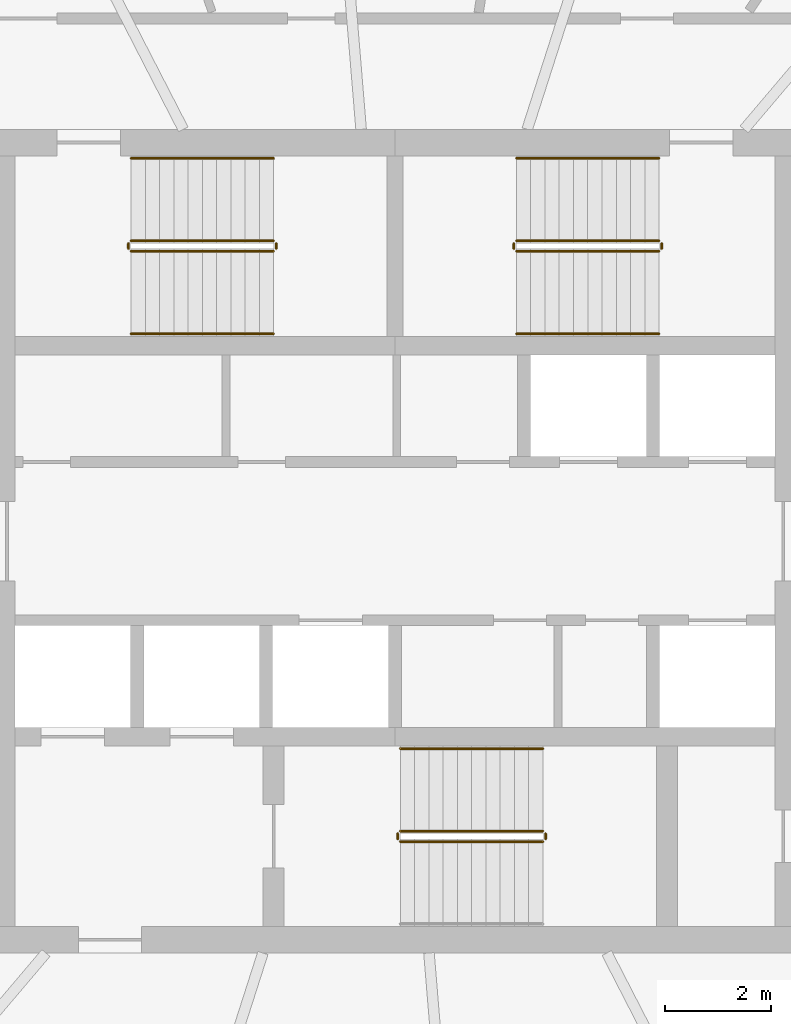
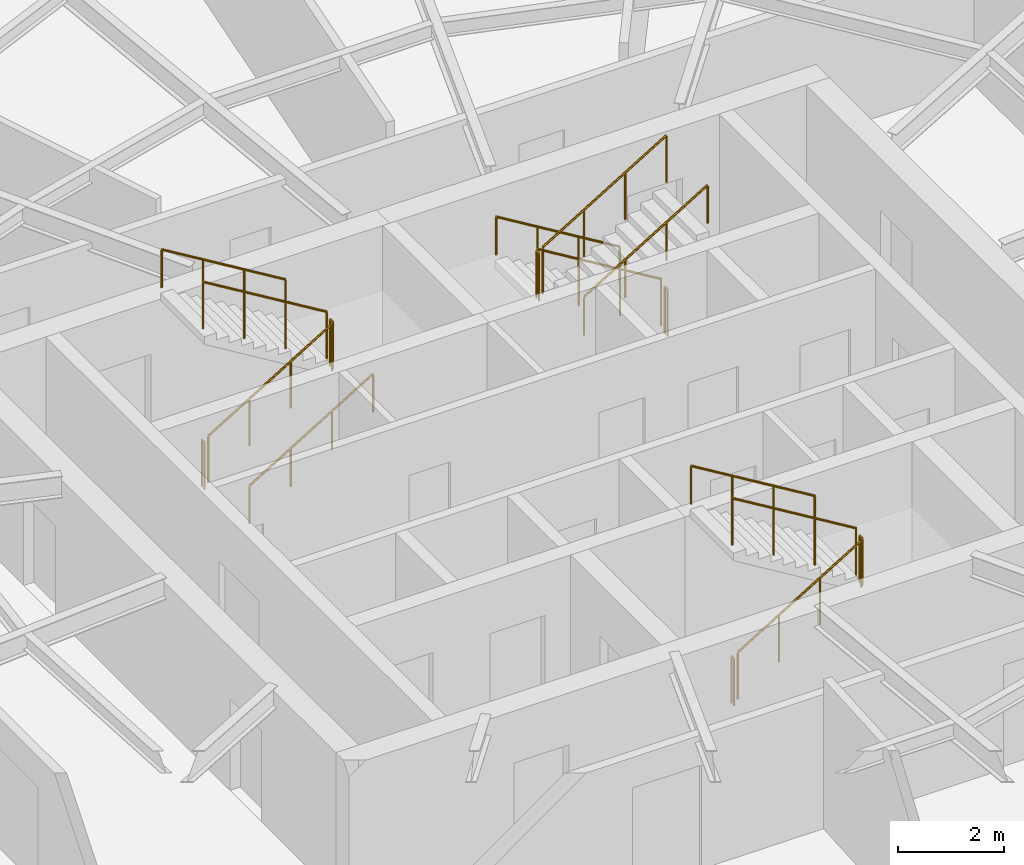
# One storey, part 12 of 13: 17 railings.
"""IFC4 building model written with IfcOpenShell, lengths in metres."""

from ifc_helpers import new_model, si_unit, direction, frame, origin, origin_2d, place, context, subcontext, project, spatial, circle, extrude, material, type_object, element, save


model = new_model("IFC4")

# Units and contexts
model_context = context("Model", 3, precision=1e-05, world=origin(), true_north=direction((0.0, 1.0)))
body_context = subcontext(model_context, "Body", "Model", "MODEL_VIEW")
ifc_project = project(units=[si_unit("LENGTHUNIT", "METRE"), si_unit("AREAUNIT", "SQUARE_METRE"), si_unit("VOLUMEUNIT", "CUBIC_METRE"), si_unit("PLANEANGLEUNIT", "RADIAN"), si_unit("MASSUNIT", "GRAM", prefix="KILO")], contexts=[model_context])

# Site, building, storey
site_placement = place(None, origin())
site = spatial("IfcSite", under=ifc_project, at=site_placement, CompositionType="ELEMENT")
building_placement = place(site_placement, origin())
building = spatial("IfcBuilding", under=site, at=building_placement, Name="Vermilion Reach Broadcast Tower", CompositionType="ELEMENT")
storey_placement = place(building_placement, frame((0.0, 0.0, 282.89990234375)))
storey = spatial("IfcBuildingStorey", under=building, at=storey_placement, Name="L70", CompositionType="ELEMENT", Elevation=282.89990234375)

# Railings
ifc_material_1 = material(Name="Stainless steel", Category="steel")
railing_type_1 = type_object("IfcRailingType", Name="Stair guard 1100", PredefinedType="GUARDRAIL", material=ifc_material_1)
railing_1_placement = place(storey_placement, frame((-11.0, 5.489990234375, 0.163818359375)))
element("IfcRailing", 1, at=railing_1_placement, inside=storey, type_object=railing_type_1, Name="L70 ST1 stair guard 1", PredefinedType="GUARDRAIL", context=body_context, shape_type="SweptSolid", body=[
    extrude(circle(Radius=0.02392578125, at=origin_2d()), frame((0.0, 0.0, 1.076171875), z_axis=(0.855212373127, 0.0, 0.518277721738), x_axis=(0.0, 1.0, 0.0)), (0.0, 0.0, 1.0), 3.156982421875),
    extrude(circle(Radius=0.02099609375, at=origin_2d()), origin(), (0.0, 0.0, 1.0), 1.052001953125),
    extrude(circle(Radius=0.02099609375, at=origin_2d()), frame((0.89990234375, 0.0, 0.54541015625)), (0.0, 0.0, 1.0), 1.052001953125),
    extrude(circle(Radius=0.02099609375, at=origin_2d()), frame((1.800048828125, 0.0, 1.0908203125)), (0.0, 0.0, 1.0), 1.052001953125),
    extrude(circle(Radius=0.02099609375, at=origin_2d()), frame((2.699951171875, 0.0, 1.63623046875)), (0.0, 0.0, 1.0), 1.052001953125),
])
railing_2_placement = place(storey_placement, frame((-8.25, 5.5400390625, 1.800048828125)))
element("IfcRailing", 2, at=railing_2_placement, inside=storey, type_object=railing_type_1, Name="L70 ST1 stair guard 2", PredefinedType="GUARDRAIL", context=body_context, shape_type="SweptSolid", body=[
    extrude(circle(Radius=0.02392578125, at=origin_2d()), frame((0.0, 0.0, 1.076171875), z_axis=(0.0, 1.0, 0.0), x_axis=(-1.0, 0.0, 0.0)), (0.0, 0.0, 1.0), 0.099853515625),
    extrude(circle(Radius=0.02099609375, at=origin_2d()), origin(), (0.0, 0.0, 1.0), 1.052001953125),
    extrude(circle(Radius=0.02099609375, at=origin_2d()), frame((0.0, 0.099853515625, 0.0)), (0.0, 0.0, 1.0), 1.052001953125),
])
railing_3_placement = place(storey_placement, frame((-8.300048828125, 5.68994140625, 1.963623046875)))
element("IfcRailing", 3, at=railing_3_placement, inside=storey, type_object=railing_type_1, Name="L70 ST1 stair guard 3", PredefinedType="GUARDRAIL", context=body_context, shape_type="SweptSolid", body=[
    extrude(circle(Radius=0.02392578125, at=origin_2d()), frame((0.0, 0.0, 1.076171875), z_axis=(-0.855178096276, 0.0, 0.518334277904), x_axis=(0.0, -1.0, 0.0)), (0.0, 0.0, 1.0), 3.1572265625),
    extrude(circle(Radius=0.02099609375, at=origin_2d()), origin(), (0.0, 0.0, 1.0), 1.052001953125),
    extrude(circle(Radius=0.02099609375, at=origin_2d()), frame((-0.89990234375, 0.0, 0.54541015625)), (0.0, 0.0, 1.0), 1.052001953125),
    extrude(circle(Radius=0.02099609375, at=origin_2d()), frame((-1.800048828125, 0.0, 1.091064453125)), (0.0, 0.0, 1.0), 1.052001953125),
    extrude(circle(Radius=0.02099609375, at=origin_2d()), frame((-2.699951171875, 0.0, 1.636474609375)), (0.0, 0.0, 1.0), 1.052001953125),
])
railing_4_placement = place(storey_placement, frame((-11.050048828125, 5.5400390625, 0.0)))
element("IfcRailing", 4, at=railing_4_placement, inside=storey, type_object=railing_type_1, Name="L70 ST1 stair guard 4", PredefinedType="GUARDRAIL", context=body_context, shape_type="SweptSolid", body=[
    extrude(circle(Radius=0.02392578125, at=origin_2d()), frame((0.0, 0.0, 1.076171875), z_axis=(0.0, 1.0, 0.0), x_axis=(-1.0, 0.0, 0.0)), (0.0, 0.0, 1.0), 0.099853515625),
    extrude(circle(Radius=0.02099609375, at=origin_2d()), origin(), (0.0, 0.0, 1.0), 1.052001953125),
    extrude(circle(Radius=0.02099609375, at=origin_2d()), frame((0.0, 0.099853515625, 0.0)), (0.0, 0.0, 1.0), 1.052001953125),
])
railing_5_placement = place(storey_placement, frame((-1.0, 5.68994140625, 0.163818359375)))
element("IfcRailing", 5, at=railing_5_placement, inside=storey, type_object=railing_type_1, Name="L70 ST2 stair guard 1", PredefinedType="GUARDRAIL", context=body_context, shape_type="SweptSolid", body=[
    extrude(circle(Radius=0.02392578125, at=origin_2d()), frame((0.0, 0.0, 1.076171875), z_axis=(-0.855212373127, 0.0, 0.518277721738), x_axis=(0.0, -1.0, 0.0)), (0.0, 0.0, 1.0), 3.156982421875),
    extrude(circle(Radius=0.02099609375, at=origin_2d()), origin(), (0.0, 0.0, 1.0), 1.052001953125),
    extrude(circle(Radius=0.02099609375, at=origin_2d()), frame((-0.89990234375, 0.0, 0.54541015625)), (0.0, 0.0, 1.0), 1.052001953125),
    extrude(circle(Radius=0.02099609375, at=origin_2d()), frame((-1.800048828125, 0.0, 1.0908203125)), (0.0, 0.0, 1.0), 1.052001953125),
    extrude(circle(Radius=0.02099609375, at=origin_2d()), frame((-2.699951171875, 0.0, 1.63623046875)), (0.0, 0.0, 1.0), 1.052001953125),
])
railing_6_placement = place(storey_placement, frame((-3.75, 5.639892578125, 1.800048828125)))
element("IfcRailing", 6, at=railing_6_placement, inside=storey, type_object=railing_type_1, Name="L70 ST2 stair guard 2", PredefinedType="GUARDRAIL", context=body_context, shape_type="SweptSolid", body=[
    extrude(circle(Radius=0.02392578125, at=origin_2d()), frame((0.0, 0.0, 1.076171875), z_axis=(0.0, -1.0, 0.0), x_axis=(1.0, 0.0, 0.0)), (0.0, 0.0, 1.0), 0.099853515625),
    extrude(circle(Radius=0.02099609375, at=origin_2d()), origin(), (0.0, 0.0, 1.0), 1.052001953125),
    extrude(circle(Radius=0.02099609375, at=origin_2d()), frame((0.0, -0.099853515625, 0.0)), (0.0, 0.0, 1.0), 1.052001953125),
])
railing_7_placement = place(storey_placement, frame((-3.699951171875, 5.489990234375, 1.963623046875)))
element("IfcRailing", 7, at=railing_7_placement, inside=storey, type_object=railing_type_1, Name="L70 ST2 stair guard 3", PredefinedType="GUARDRAIL", context=body_context, shape_type="SweptSolid", body=[
    extrude(circle(Radius=0.02392578125, at=origin_2d()), frame((0.0, 0.0, 1.076171875), z_axis=(0.855178096276, 0.0, 0.518334277904), x_axis=(0.0, 1.0, 0.0)), (0.0, 0.0, 1.0), 3.1572265625),
    extrude(circle(Radius=0.02099609375, at=origin_2d()), origin(), (0.0, 0.0, 1.0), 1.052001953125),
    extrude(circle(Radius=0.02099609375, at=origin_2d()), frame((0.89990234375, 0.0, 0.54541015625)), (0.0, 0.0, 1.0), 1.052001953125),
    extrude(circle(Radius=0.02099609375, at=origin_2d()), frame((1.800048828125, 0.0, 1.091064453125)), (0.0, 0.0, 1.0), 1.052001953125),
    extrude(circle(Radius=0.02099609375, at=origin_2d()), frame((2.699951171875, 0.0, 1.636474609375)), (0.0, 0.0, 1.0), 1.052001953125),
])
railing_8_placement = place(storey_placement, frame((-0.949951171875, 5.639892578125, 0.0)))
element("IfcRailing", 8, at=railing_8_placement, inside=storey, type_object=railing_type_1, Name="L70 ST2 stair guard 4", PredefinedType="GUARDRAIL", context=body_context, shape_type="SweptSolid", body=[
    extrude(circle(Radius=0.02392578125, at=origin_2d()), frame((0.0, 0.0, 1.076171875), z_axis=(0.0, -1.0, 0.0), x_axis=(1.0, 0.0, 0.0)), (0.0, 0.0, 1.0), 0.099853515625),
    extrude(circle(Radius=0.02099609375, at=origin_2d()), origin(), (0.0, 0.0, 1.0), 1.052001953125),
    extrude(circle(Radius=0.02099609375, at=origin_2d()), frame((0.0, -0.099853515625, 0.0)), (0.0, 0.0, 1.0), 1.052001953125),
])
railing_9_placement = place(storey_placement, frame((-5.89990234375, -5.68994140625, 0.163818359375)))
element("IfcRailing", 9, at=railing_9_placement, inside=storey, type_object=railing_type_1, Name="L70 ST3 stair guard 1", PredefinedType="GUARDRAIL", context=body_context, shape_type="SweptSolid", body=[
    extrude(circle(Radius=0.02392578125, at=origin_2d()), frame((0.0, 0.0, 1.076171875), z_axis=(0.855212373127, 0.0, 0.518277721738), x_axis=(0.0, 1.0, 0.0)), (0.0, 0.0, 1.0), 3.156982421875),
    extrude(circle(Radius=0.02099609375, at=origin_2d()), origin(), (0.0, 0.0, 1.0), 1.052001953125),
    extrude(circle(Radius=0.02099609375, at=origin_2d()), frame((0.89990234375, 0.0, 0.54541015625)), (0.0, 0.0, 1.0), 1.052001953125),
    extrude(circle(Radius=0.02099609375, at=origin_2d()), frame((1.800048828125, 0.0, 1.0908203125)), (0.0, 0.0, 1.0), 1.052001953125),
    extrude(circle(Radius=0.02099609375, at=origin_2d()), frame((2.699951171875, 0.0, 1.63623046875)), (0.0, 0.0, 1.0), 1.052001953125),
])
railing_10_placement = place(storey_placement, frame((-3.14990234375, -5.639892578125, 1.800048828125)))
element("IfcRailing", 10, at=railing_10_placement, inside=storey, type_object=railing_type_1, Name="L70 ST3 stair guard 2", PredefinedType="GUARDRAIL", context=body_context, shape_type="SweptSolid", body=[
    extrude(circle(Radius=0.02392578125, at=origin_2d()), frame((0.0, 0.0, 1.076171875), z_axis=(0.0, 1.0, 0.0), x_axis=(-1.0, 0.0, 0.0)), (0.0, 0.0, 1.0), 0.099853515625),
    extrude(circle(Radius=0.02099609375, at=origin_2d()), origin(), (0.0, 0.0, 1.0), 1.052001953125),
    extrude(circle(Radius=0.02099609375, at=origin_2d()), frame((0.0, 0.099853515625, 0.0)), (0.0, 0.0, 1.0), 1.052001953125),
])
railing_11_placement = place(storey_placement, frame((-3.199951171875, -5.489990234375, 1.963623046875)))
element("IfcRailing", 11, at=railing_11_placement, inside=storey, type_object=railing_type_1, Name="L70 ST3 stair guard 3", PredefinedType="GUARDRAIL", context=body_context, shape_type="SweptSolid", body=[
    extrude(circle(Radius=0.02392578125, at=origin_2d()), frame((0.0, 0.0, 1.076171875), z_axis=(-0.855178096276, 0.0, 0.518334277904), x_axis=(0.0, -1.0, 0.0)), (0.0, 0.0, 1.0), 3.1572265625),
    extrude(circle(Radius=0.02099609375, at=origin_2d()), origin(), (0.0, 0.0, 1.0), 1.052001953125),
    extrude(circle(Radius=0.02099609375, at=origin_2d()), frame((-0.89990234375, 0.0, 0.54541015625)), (0.0, 0.0, 1.0), 1.052001953125),
    extrude(circle(Radius=0.02099609375, at=origin_2d()), frame((-1.800048828125, 0.0, 1.091064453125)), (0.0, 0.0, 1.0), 1.052001953125),
    extrude(circle(Radius=0.02099609375, at=origin_2d()), frame((-2.699951171875, 0.0, 1.636474609375)), (0.0, 0.0, 1.0), 1.052001953125),
])
railing_12_placement = place(storey_placement, frame((-5.949951171875, -5.639892578125, 0.0)))
element("IfcRailing", 12, at=railing_12_placement, inside=storey, type_object=railing_type_1, Name="L70 ST3 stair guard 4", PredefinedType="GUARDRAIL", context=body_context, shape_type="SweptSolid", body=[
    extrude(circle(Radius=0.02392578125, at=origin_2d()), frame((0.0, 0.0, 1.076171875), z_axis=(0.0, 1.0, 0.0), x_axis=(-1.0, 0.0, 0.0)), (0.0, 0.0, 1.0), 0.099853515625),
    extrude(circle(Radius=0.02099609375, at=origin_2d()), origin(), (0.0, 0.0, 1.0), 1.052001953125),
    extrude(circle(Radius=0.02099609375, at=origin_2d()), frame((0.0, 0.099853515625, 0.0)), (0.0, 0.0, 1.0), 1.052001953125),
])
ifc_material_2 = material(Name="Stainless steel", Category="steel")
railing_type_2 = type_object("IfcRailingType", Name="Stair handrail", PredefinedType="HANDRAIL", material=ifc_material_2)
railing_13_placement = place(storey_placement, frame((-11.0, 3.929931640625, 0.163818359375)))
element("IfcRailing", 13, at=railing_13_placement, inside=storey, type_object=railing_type_2, Name="L70 ST1 stair handrail 1", PredefinedType="HANDRAIL", context=body_context, shape_type="SweptSolid", body=[
    extrude(circle(Radius=0.02392578125, at=origin_2d()), frame((0.0, 0.0, 0.8759765625), z_axis=(0.855212373127, 0.0, 0.518277721738), x_axis=(0.0, 1.0, 0.0)), (0.0, 0.0, 1.0), 3.156982421875),
    extrude(circle(Radius=0.02099609375, at=origin_2d()), origin(), (0.0, 0.0, 1.0), 0.851806640625),
    extrude(circle(Radius=0.02099609375, at=origin_2d()), frame((0.89990234375, 0.0, 0.54541015625)), (0.0, 0.0, 1.0), 0.851806640625),
    extrude(circle(Radius=0.02099609375, at=origin_2d()), frame((1.800048828125, 0.0, 1.0908203125)), (0.0, 0.0, 1.0), 0.851806640625),
    extrude(circle(Radius=0.02099609375, at=origin_2d()), frame((2.699951171875, 0.0, 1.63623046875)), (0.0, 0.0, 1.0), 0.851806640625),
])
railing_14_placement = place(storey_placement, frame((-8.300048828125, 7.25, 1.963623046875)))
element("IfcRailing", 14, at=railing_14_placement, inside=storey, type_object=railing_type_2, Name="L70 ST1 stair handrail 2", PredefinedType="HANDRAIL", context=body_context, shape_type="SweptSolid", body=[
    extrude(circle(Radius=0.02392578125, at=origin_2d()), frame((0.0, 0.0, 0.8759765625), z_axis=(-0.855178096276, 0.0, 0.518334277904), x_axis=(0.0, -1.0, 0.0)), (0.0, 0.0, 1.0), 3.1572265625),
    extrude(circle(Radius=0.02099609375, at=origin_2d()), origin(), (0.0, 0.0, 1.0), 0.851806640625),
    extrude(circle(Radius=0.02099609375, at=origin_2d()), frame((-0.89990234375, 0.0, 0.54541015625)), (0.0, 0.0, 1.0), 0.851806640625),
    extrude(circle(Radius=0.02099609375, at=origin_2d()), frame((-1.800048828125, 0.0, 1.091064453125)), (0.0, 0.0, 1.0), 0.851806640625),
    extrude(circle(Radius=0.02099609375, at=origin_2d()), frame((-2.699951171875, 0.0, 1.636474609375)), (0.0, 0.0, 1.0), 0.851806640625),
])
railing_15_placement = place(storey_placement, frame((-1.0, 7.25, 0.163818359375)))
element("IfcRailing", 15, at=railing_15_placement, inside=storey, type_object=railing_type_2, Name="L70 ST2 stair handrail 1", PredefinedType="HANDRAIL", context=body_context, shape_type="SweptSolid", body=[
    extrude(circle(Radius=0.02392578125, at=origin_2d()), frame((0.0, 0.0, 0.8759765625), z_axis=(-0.855212373127, 0.0, 0.518277721738), x_axis=(0.0, -1.0, 0.0)), (0.0, 0.0, 1.0), 3.156982421875),
    extrude(circle(Radius=0.02099609375, at=origin_2d()), origin(), (0.0, 0.0, 1.0), 0.851806640625),
    extrude(circle(Radius=0.02099609375, at=origin_2d()), frame((-0.89990234375, 0.0, 0.54541015625)), (0.0, 0.0, 1.0), 0.851806640625),
    extrude(circle(Radius=0.02099609375, at=origin_2d()), frame((-1.800048828125, 0.0, 1.0908203125)), (0.0, 0.0, 1.0), 0.851806640625),
    extrude(circle(Radius=0.02099609375, at=origin_2d()), frame((-2.699951171875, 0.0, 1.63623046875)), (0.0, 0.0, 1.0), 0.851806640625),
])
railing_16_placement = place(storey_placement, frame((-3.699951171875, 3.929931640625, 1.963623046875)))
element("IfcRailing", 16, at=railing_16_placement, inside=storey, type_object=railing_type_2, Name="L70 ST2 stair handrail 2", PredefinedType="HANDRAIL", context=body_context, shape_type="SweptSolid", body=[
    extrude(circle(Radius=0.02392578125, at=origin_2d()), frame((0.0, 0.0, 0.8759765625), z_axis=(0.855178096276, 0.0, 0.518334277904), x_axis=(0.0, 1.0, 0.0)), (0.0, 0.0, 1.0), 3.1572265625),
    extrude(circle(Radius=0.02099609375, at=origin_2d()), origin(), (0.0, 0.0, 1.0), 0.851806640625),
    extrude(circle(Radius=0.02099609375, at=origin_2d()), frame((0.89990234375, 0.0, 0.54541015625)), (0.0, 0.0, 1.0), 0.851806640625),
    extrude(circle(Radius=0.02099609375, at=origin_2d()), frame((1.800048828125, 0.0, 1.091064453125)), (0.0, 0.0, 1.0), 0.851806640625),
    extrude(circle(Radius=0.02099609375, at=origin_2d()), frame((2.699951171875, 0.0, 1.636474609375)), (0.0, 0.0, 1.0), 0.851806640625),
])
railing_17_placement = place(storey_placement, frame((-3.199951171875, -3.929931640625, 1.963623046875)))
element("IfcRailing", 17, at=railing_17_placement, inside=storey, type_object=railing_type_2, Name="L70 ST3 stair handrail 2", PredefinedType="HANDRAIL", context=body_context, shape_type="SweptSolid", body=[
    extrude(circle(Radius=0.02392578125, at=origin_2d()), frame((0.0, 0.0, 0.8759765625), z_axis=(-0.855178096276, 0.0, 0.518334277904), x_axis=(0.0, -1.0, 0.0)), (0.0, 0.0, 1.0), 3.1572265625),
    extrude(circle(Radius=0.02099609375, at=origin_2d()), origin(), (0.0, 0.0, 1.0), 0.851806640625),
    extrude(circle(Radius=0.02099609375, at=origin_2d()), frame((-0.89990234375, 0.0, 0.54541015625)), (0.0, 0.0, 1.0), 0.851806640625),
    extrude(circle(Radius=0.02099609375, at=origin_2d()), frame((-1.800048828125, 0.0, 1.091064453125)), (0.0, 0.0, 1.0), 0.851806640625),
    extrude(circle(Radius=0.02099609375, at=origin_2d()), frame((-2.699951171875, 0.0, 1.636474609375)), (0.0, 0.0, 1.0), 0.851806640625),
])

save(model, "model.ifc")
